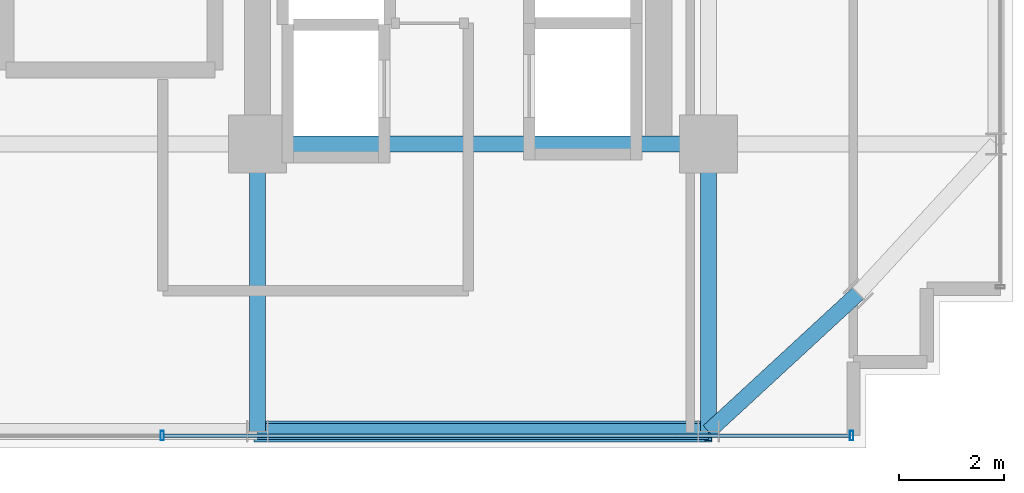
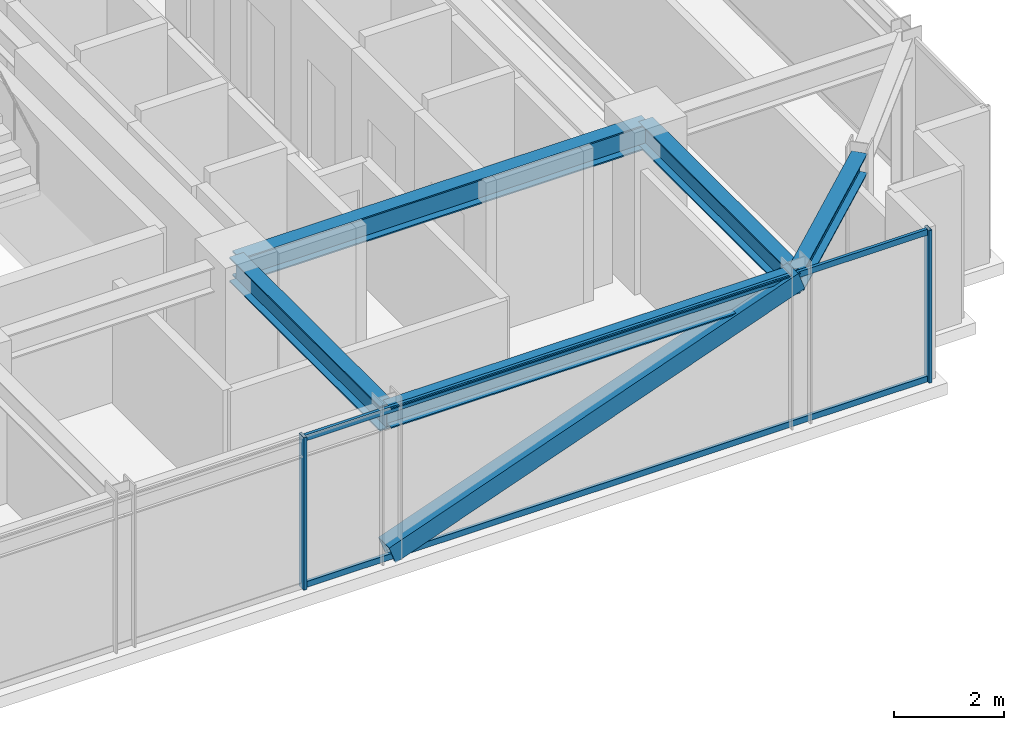
# One storey, part 10 of 32: 5 beams, 5 members, 1 element without a shape of its own.
"""IFC4 building model written with IfcOpenShell, lengths in metres."""

from ifc_helpers import new_model, si_unit, direction, frame, origin, origin_2d, place, context, subcontext, project, spatial, hollow_rectangle, i_section, extrude, source, transform, mapped, material, material_profile, profile_set, type_object, element, aggregate, save


model = new_model("IFC4")

# Units and contexts
model_context = context("Model", 3, precision=1e-05, world=origin(), true_north=direction((0.0, 1.0)))
body_context = subcontext(model_context, "Body", "Model", "MODEL_VIEW")
ifc_project = project(units=[si_unit("LENGTHUNIT", "METRE"), si_unit("AREAUNIT", "SQUARE_METRE"), si_unit("VOLUMEUNIT", "CUBIC_METRE"), si_unit("PLANEANGLEUNIT", "RADIAN"), si_unit("MASSUNIT", "GRAM", prefix="KILO")], contexts=[model_context])

# Site, building, storey
site_placement = place(None, origin())
site = spatial("IfcSite", under=ifc_project, at=site_placement, CompositionType="ELEMENT")
building_placement = place(site_placement, origin())
building = spatial("IfcBuilding", under=site, at=building_placement, Name="Nahalor Promenade Grand Hotel", CompositionType="ELEMENT")
storey_placement = place(building_placement, frame((0.0, 0.0, 152.64990234375)))
storey = spatial("IfcBuildingStorey", under=building, at=storey_placement, Name="L38", CompositionType="ELEMENT", Elevation=152.64990234375)

# Beams
ifc_material_1 = material(Name="Steel S355JR", Category="steel")
ifc_material_profile_1 = material_profile(ifc_material_1, i_section(OverallWidth=0.3, OverallDepth=0.55, WebThickness=0.015, FlangeThickness=0.029, at=origin_2d()), Name="HEB 550")
ifc_profile_set_1 = profile_set([ifc_material_profile_1], Name="Steel S355JR")
beam_type_1 = type_object("IfcBeamType", Name="Beam-Girder-HEB550", PredefinedType="BEAM", material=ifc_profile_set_1)
shared_shape_1 = source(origin(), body_context, "Body", "SweptSolid", [
    extrude(i_section(OverallWidth=0.3, OverallDepth=0.55, WebThickness=0.015, FlangeThickness=0.029, at=origin_2d()), origin(), (0.0, 0.0, 1.0), 8.60009765625),
])
beam_1_placement = place(storey_placement, frame((8.39990234375, -17.0, 3.114990234375), z_axis=(1.0, 0.0, 0.0), x_axis=(0.0, 1.0, 0.0)))
element("IfcBeam", 1, at=beam_1_placement, inside=storey, type_object=beam_type_1, Name="BM-L38-GX-0-5", PredefinedType="BEAM", context=body_context, shape_type="MappedRepresentation", body=[
    mapped(shared_shape_1, transform((0.0, 0.0, 0.0), scale=1.0)),
])
shared_shape_2 = source(origin(), body_context, "Body", "SweptSolid", [
    extrude(i_section(OverallWidth=0.3, OverallDepth=0.55, WebThickness=0.015, FlangeThickness=0.029, at=origin_2d()), origin(), (0.0, 0.0, 1.0), 5.47998046875),
])
for number, where, z_axis, x_axis, name in (
    (2, (8.39990234375, -22.47998046875, 3.114990234375), (0.0, 1.0, 0.0), (-1.0, 0.0, 0.0), "BM-L38-GY-4-0"),
    (3, (17.0, -22.47998046875, 3.114990234375), (0.0, 1.0, 0.0), (-1.0, 0.0, 0.0), "BM-L38-GY-5-0"),
):
    element("IfcBeam", number, at=place(storey_placement, frame(where, z_axis=z_axis, x_axis=x_axis)), inside=storey, type_object=beam_type_1, Name=name, PredefinedType="BEAM", context=body_context, shape_type="MappedRepresentation", body=[
        mapped(shared_shape_2, transform((0.0, 0.0, 0.0), scale=1.0)),
    ])
ifc_material_profile_2 = material_profile(ifc_material_1, i_section(OverallWidth=0.3, OverallDepth=0.45, WebThickness=0.014, FlangeThickness=0.026, at=origin_2d()), Name="HEB 450")
ifc_profile_set_2 = profile_set([ifc_material_profile_2], Name="Steel S355JR")
beam_type_2 = type_object("IfcBeamType", Name="Beam-Spandrel-HEB450", PredefinedType="SPANDREL", material=ifc_profile_set_2)
shared_shape_3 = source(origin(), body_context, "Body", "SweptSolid", [
    extrude(i_section(OverallWidth=0.3, OverallDepth=0.45, WebThickness=0.014, FlangeThickness=0.026, at=origin_2d()), origin(), (0.0, 0.0, 1.0), 8.60009765625),
])
beam_2_placement = place(storey_placement, frame((8.39990234375, -22.47998046875, 3.1650390625), z_axis=(1.0, 0.0, 0.0), x_axis=(0.0, 1.0, 0.0)))
element("IfcBeam", 4, at=beam_2_placement, inside=storey, type_object=beam_type_2, Name="BM-L38-SP-S-4", PredefinedType="SPANDREL", context=body_context, shape_type="MappedRepresentation", body=[
    mapped(shared_shape_3, transform((0.0, 0.0, 0.0), scale=1.0)),
])
shared_shape_4 = source(origin(), body_context, "Body", "SweptSolid", [
    extrude(i_section(OverallWidth=0.3, OverallDepth=0.45, WebThickness=0.014, FlangeThickness=0.026, at=origin_2d()), origin(), (0.0, 0.0, 1.0), 3.878173828125),
])
beam_3_placement = place(storey_placement, frame((17.0, -22.47998046875, 3.1650390625), z_axis=(0.73492893846, 0.678144125843, 0.0), x_axis=(-0.678144125843, 0.73492893846, 0.0)))
element("IfcBeam", 5, at=beam_3_placement, inside=storey, type_object=beam_type_2, Name="BM-L38-SPC-SE-1", PredefinedType="SPANDREL", context=body_context, shape_type="MappedRepresentation", body=[
    mapped(shared_shape_4, transform((0.0, 0.0, 0.0), scale=1.0)),
])

# Member
ifc_material_profile_3 = material_profile(ifc_material_1, hollow_rectangle(XDim=0.4, YDim=0.4, WallThickness=0.022, at=origin_2d()), Name="SHS 400x400x22")
ifc_profile_set_3 = profile_set([ifc_material_profile_3], Name="Steel S355JR")
member_type_1 = type_object("IfcMemberType", Name="Mem-ExoBrace-SHS400", PredefinedType="BRACE", material=ifc_profile_set_3)
shared_shape_5 = source(origin(), body_context, "Body", "SweptSolid", [
    extrude(hollow_rectangle(XDim=0.4, YDim=0.4, WallThickness=0.022, at=origin_2d()), origin(), (0.0, 0.0, 1.0), 9.138427734375),
])
member_1_placement = place(storey_placement, frame((8.39990234375, -22.47998046875, 0.150146484375), z_axis=(0.941103144716, 0.0, 0.338119610501), x_axis=(0.0, 1.0, 0.0)))
element("IfcMember", 6, at=member_1_placement, inside=storey, type_object=member_type_1, Name="EXO-L38-S-1", PredefinedType="BRACE", context=body_context, shape_type="MappedRepresentation", body=[
    mapped(shared_shape_5, transform((0.0, 0.0, 0.0), scale=1.0)),
])

# Curtain wall, members
ifc_material_2 = material(Name="Anodised Bronze Aluminium EN AW-6063 T6", Category="aluminium")
curtain_wall_type = type_object("IfcCurtainWallType", Name="CW2 Typical Hotel Flush Bronze Unitised Curtain Wall", PredefinedType="USERDEFINED", material=ifc_material_2)
curtain_wall_placement = place(storey_placement, origin())
curtain_wall = element("IfcCurtainWall", 7, at=curtain_wall_placement, inside=storey, type_object=curtain_wall_type, Name="L38 Curtain Wall CW-L38-S-1", ObjectType="UNITISED_CURTAIN_WALL", PredefinedType="USERDEFINED")
ifc_material_profile_4 = material_profile(ifc_material_2, hollow_rectangle(XDim=0.065, YDim=0.13, WallThickness=0.004, at=origin_2d()), Name="CWT 65x130x4")
ifc_profile_set_4 = profile_set([ifc_material_profile_4], Name="Anodised Bronze Aluminium EN AW-6063 T6")
member_type_2 = type_object("IfcMemberType", Name="CWT2 Typical Bronze Transom 65x130", PredefinedType="USERDEFINED", material=ifc_profile_set_4)
shared_shape_6 = source(origin(), body_context, "Body", "SweptSolid", [
    extrude(hollow_rectangle(XDim=0.065, YDim=0.13, WallThickness=0.004, at=origin_2d()), origin(), (0.0, 0.0, 1.0), 13.075927734375),
])
member_2_placement = place(storey_placement, frame((6.619140625, -22.56005859375, 0.065185546875), z_axis=(1.0, 0.0, 0.0), x_axis=(0.0, 1.0, 0.0)))
member_2 = element("IfcMember", 8, at=member_2_placement, type_object=member_type_2, Name="CW-L38-S-1 Transom 2-0", ObjectType="TRANSOM", PredefinedType="USERDEFINED", context=body_context, shape_type="MappedRepresentation", body=[
    mapped(shared_shape_6, transform((0.0, 0.0, 0.0), scale=1.0)),
])
member_3_placement = place(storey_placement, frame((6.619140625, -22.56005859375, 3.3251953125), z_axis=(1.0, 0.0, 0.0), x_axis=(0.0, 1.0, 0.0)))
member_3 = element("IfcMember", 9, at=member_3_placement, type_object=member_type_2, Name="CW-L38-S-1 Transom 2-1", ObjectType="TRANSOM", PredefinedType="USERDEFINED", context=body_context, shape_type="MappedRepresentation", body=[
    mapped(shared_shape_6, transform((0.0, 0.0, 0.0), scale=1.0)),
])
ifc_material_profile_5 = material_profile(ifc_material_2, hollow_rectangle(XDim=0.065, YDim=0.18, WallThickness=0.004, at=origin_2d()), Name="CWM 65x180x4")
ifc_profile_set_5 = profile_set([ifc_material_profile_5], Name="Anodised Bronze Aluminium EN AW-6063 T6")
member_type_3 = type_object("IfcMemberType", Name="CWM2 Typical Bronze Mullion 65x180", PredefinedType="MULLION", material=ifc_profile_set_5)
shared_shape_7 = source(origin(), body_context, "Body", "SweptSolid", [
    extrude(hollow_rectangle(XDim=0.065, YDim=0.18, WallThickness=0.004, at=origin_2d()), origin(), (0.0, 0.0, 1.0), 3.39013671875),
])
member_4_placement = place(storey_placement, frame((6.586669921875, -22.56005859375, 0.0), z_axis=(0.0, 0.0, 1.0), x_axis=(1.0, 0.0, 0.0)))
member_4 = element("IfcMember", 10, at=member_4_placement, type_object=member_type_3, Name="CW-L38-S-1 Mullion 2", PredefinedType="MULLION", context=body_context, shape_type="MappedRepresentation", body=[
    mapped(shared_shape_7, transform((0.0, 0.0, 0.0), scale=1.0)),
])
member_5_placement = place(storey_placement, frame((19.7275390625, -22.56005859375, 0.0), z_axis=(0.0, 0.0, 1.0), x_axis=(1.0, 0.0, 0.0)))
member_5 = element("IfcMember", 11, at=member_5_placement, type_object=member_type_3, Name="CW-L38-S-1 Mullion 3", PredefinedType="MULLION", context=body_context, shape_type="MappedRepresentation", body=[
    mapped(shared_shape_7, transform((0.0, 0.0, 0.0), scale=1.0)),
])
aggregate(curtain_wall, [member_4, member_5, member_2, member_3])

save(model, "model.ifc")
